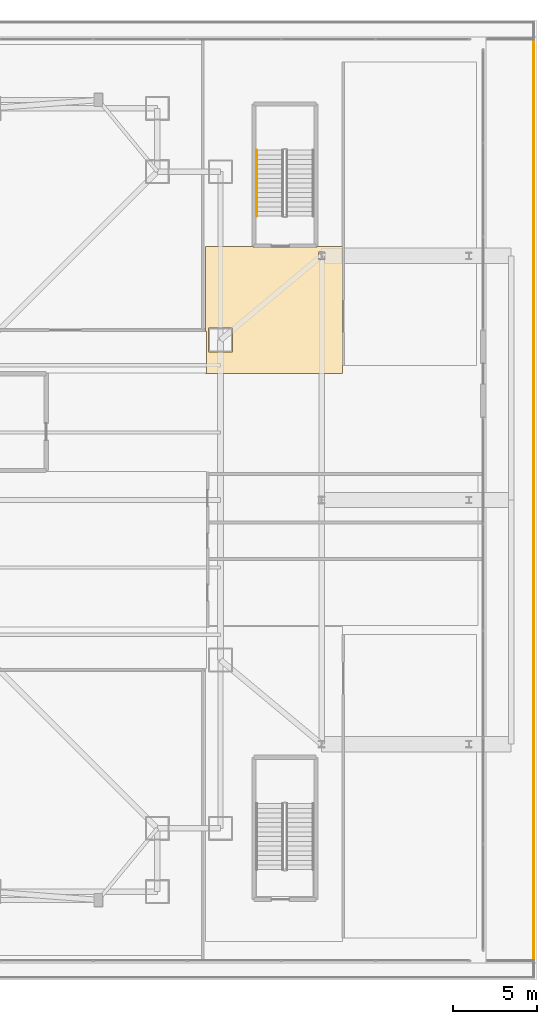
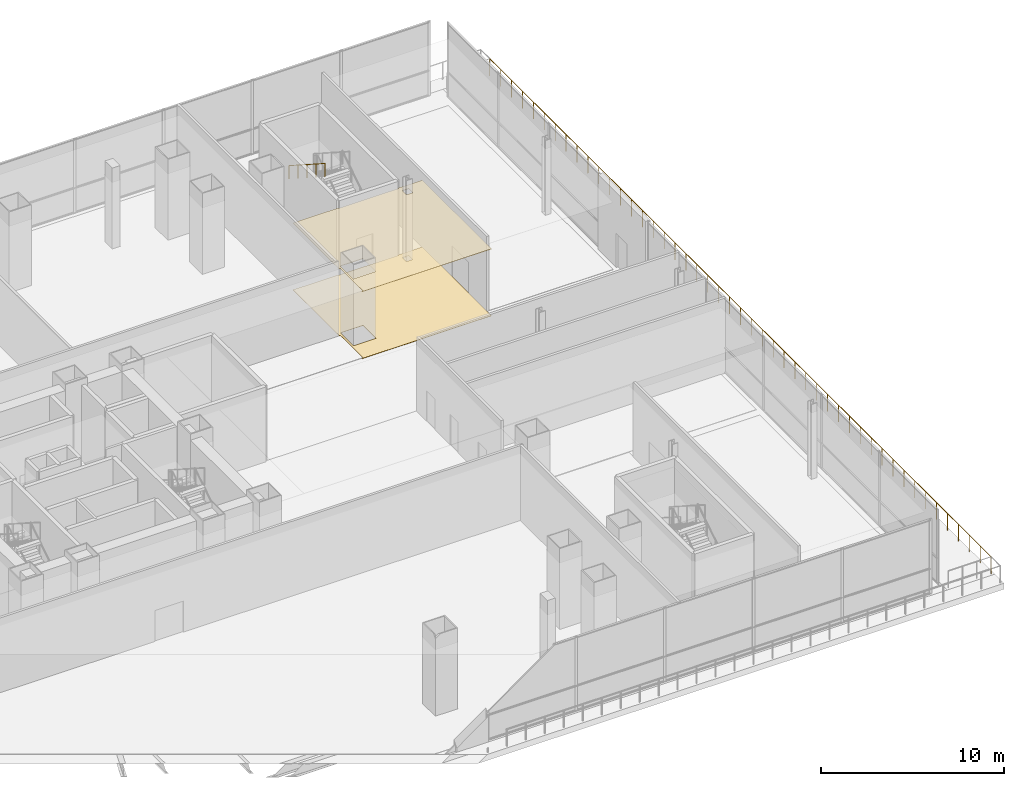
# One storey, part 35 of 36: 2 coverings, 2 railings.
"""IFC4 building model written with IfcOpenShell, lengths in metres."""

from ifc_helpers import new_model, si_unit, direction, frame, origin, origin_2d, place, context, subcontext, project, spatial, polyline, circle, outline, extrude, material, layer, layer_set, type_object, element, save


model = new_model("IFC4")

# Units and contexts
model_context = context("Model", 3, precision=1e-05, world=origin(), true_north=direction((0.0, 1.0)))
body_context = subcontext(model_context, "Body", "Model", "MODEL_VIEW")
ifc_project = project(units=[si_unit("LENGTHUNIT", "METRE"), si_unit("AREAUNIT", "SQUARE_METRE"), si_unit("VOLUMEUNIT", "CUBIC_METRE"), si_unit("PLANEANGLEUNIT", "RADIAN"), si_unit("MASSUNIT", "GRAM", prefix="KILO")], contexts=[model_context])

# Site, building, storey
site_placement = place(None, origin())
site = spatial("IfcSite", under=ifc_project, at=site_placement, CompositionType="ELEMENT")
building_placement = place(site_placement, origin())
building = spatial("IfcBuilding", under=site, at=building_placement, Name="Trevonay Congress Spire", CompositionType="ELEMENT")
storey_placement = place(building_placement, frame((0.0, 0.0, 5.39990234375)))
storey = spatial("IfcBuildingStorey", under=building, at=storey_placement, Name="L01", CompositionType="ELEMENT", Elevation=5.39990234375)

# Coverings
ifc_material_1 = material(Name="Acoustic Mineral Fibre Board", Category="gypsum")
ifc_layer_1 = layer(ifc_material_1, 0.02490234375, Name="Acoustic Mineral Fibre Board")
ifc_layer_set_1 = layer_set([ifc_layer_1], Name="Acoustic Mineral Fibre Board")
covering_type_1 = type_object("IfcCoveringType", Name="COV-CEIL-ACOUSTIC", PredefinedType="CEILING", material=ifc_layer_set_1)
covering_1_placement = place(storey_placement, frame((0.0, 0.0, 4.4501953125)))
element("IfcCovering", 1, at=covering_1_placement, inside=storey, type_object=covering_type_1, Name="L01 L01 Stair Lobby NE acoustic suspended ceiling", PredefinedType="CEILING", context=body_context, shape_type="SweptSolid", body=[
    extrude(outline(polyline([(28.97998046875, 15.02001953125), (28.97998046875, 15.050048828125), (30.5, 15.050048828125), (30.5, 7.5), (22.35009765625, 7.5), (22.35009765625, 7.550048828125), (22.419921875, 7.550048828125), (22.419921875, 10.0), (22.35009765625, 10.0), (22.35009765625, 15.050048828125), (25.169921875, 15.050048828125), (25.169921875, 15.02001953125), (28.97998046875, 15.02001953125)]), holes=[polyline([(23.9599609375, 8.7900390625), (23.9599609375, 10.2099609375), (22.5400390625, 10.2099609375), (22.5400390625, 8.7900390625), (23.9599609375, 8.7900390625)]), polyline([(29.444091796875, 14.277587890625), (29.444091796875, 14.722412109375), (29.055908203125, 14.722412109375), (29.055908203125, 14.277587890625), (29.444091796875, 14.277587890625)])]), origin(), (0.0, 0.0, 1.0), 0.02490234375),
])
ifc_material_2 = material(Name="Polished Granite Floor Tile", Category="masonry")
ifc_layer_2 = layer(ifc_material_2, 0.02001953125, Name="Polished Granite Floor Tile")
ifc_layer_set_2 = layer_set([ifc_layer_2], Name="Polished Granite Floor Tile")
covering_type_2 = type_object("IfcCoveringType", Name="COV-FLOOR-STONE", PredefinedType="FLOORING", material=ifc_layer_set_2)
covering_2_placement = place(storey_placement, origin())
element("IfcCovering", 2, at=covering_2_placement, inside=storey, type_object=covering_type_2, Name="L01 L01 Stair Lobby NE floor finish", PredefinedType="FLOORING", context=body_context, shape_type="SweptSolid", body=[
    extrude(outline(polyline([(28.97998046875, 15.02001953125), (28.97998046875, 15.050048828125), (30.5, 15.050048828125), (30.5, 7.5), (22.35009765625, 7.5), (22.35009765625, 7.550048828125), (22.419921875, 7.550048828125), (22.419921875, 10.0), (22.35009765625, 10.0), (22.35009765625, 15.050048828125), (25.169921875, 15.050048828125), (25.169921875, 15.02001953125), (28.97998046875, 15.02001953125)]), holes=[polyline([(23.9599609375, 8.7900390625), (23.9599609375, 10.2099609375), (22.5400390625, 10.2099609375), (22.5400390625, 8.7900390625), (23.9599609375, 8.7900390625)]), polyline([(29.444091796875, 14.277587890625), (29.444091796875, 14.722412109375), (29.055908203125, 14.722412109375), (29.055908203125, 14.277587890625), (29.444091796875, 14.277587890625)])]), origin(), (0.0, 0.0, 1.0), 0.02001953125),
])

# Railings
ifc_material_3 = material(Name="Pale Anodised Aluminium EN AW-6063-T6", Category="aluminium")
railing_type_1 = type_object("IfcRailingType", Name="RAL-EXT-GUARD-115", PredefinedType="GUARDRAIL", material=ifc_material_3)
railing_1_placement = place(storey_placement, frame((41.85009765625, -27.35009765625, 0.0)))
element("IfcRailing", 3, at=railing_1_placement, inside=storey, type_object=railing_type_1, Name="L01 perimeter safety guard GRD-L01-TER-E-2", PredefinedType="GUARDRAIL", context=body_context, shape_type="SweptSolid", body=[
    extrude(circle(Radius=0.02392578125, at=origin_2d()), frame((0.0, 0.0, 1.1259765625), z_axis=(0.0, 1.0, 0.0), x_axis=(-1.0, 0.0, 0.0)), (0.0, 0.0, 1.0), 54.7001953125),
    extrude(circle(Radius=0.02099609375, at=origin_2d()), origin(), (0.0, 0.0, 1.0), 1.101806640625),
    extrude(circle(Radius=0.02099609375, at=origin_2d()), frame((0.0, 1.189208984375, 0.0)), (0.0, 0.0, 1.0), 1.101806640625),
    extrude(circle(Radius=0.02099609375, at=origin_2d()), frame((0.0, 2.378173828125, 0.0)), (0.0, 0.0, 1.0), 1.101806640625),
    extrude(circle(Radius=0.02099609375, at=origin_2d()), frame((0.0, 3.5673828125, 0.0)), (0.0, 0.0, 1.0), 1.101806640625),
    extrude(circle(Radius=0.02099609375, at=origin_2d()), frame((0.0, 4.756591796875, 0.0)), (0.0, 0.0, 1.0), 1.101806640625),
    extrude(circle(Radius=0.02099609375, at=origin_2d()), frame((0.0, 5.945556640625, 0.0)), (0.0, 0.0, 1.0), 1.101806640625),
    extrude(circle(Radius=0.02099609375, at=origin_2d()), frame((0.0, 7.134765625, 0.0)), (0.0, 0.0, 1.0), 1.101806640625),
    extrude(circle(Radius=0.02099609375, at=origin_2d()), frame((0.0, 8.323974609375, 0.0)), (0.0, 0.0, 1.0), 1.101806640625),
    extrude(circle(Radius=0.02099609375, at=origin_2d()), frame((0.0, 9.51318359375, 0.0)), (0.0, 0.0, 1.0), 1.101806640625),
    extrude(circle(Radius=0.02099609375, at=origin_2d()), frame((0.0, 10.7021484375, 0.0)), (0.0, 0.0, 1.0), 1.101806640625),
    extrude(circle(Radius=0.02099609375, at=origin_2d()), frame((0.0, 11.891357421875, 0.0)), (0.0, 0.0, 1.0), 1.101806640625),
    extrude(circle(Radius=0.02099609375, at=origin_2d()), frame((0.0, 13.08056640625, 0.0)), (0.0, 0.0, 1.0), 1.101806640625),
    extrude(circle(Radius=0.02099609375, at=origin_2d()), frame((0.0, 14.26953125, 0.0)), (0.0, 0.0, 1.0), 1.101806640625),
    extrude(circle(Radius=0.02099609375, at=origin_2d()), frame((0.0, 15.458740234375, 0.0)), (0.0, 0.0, 1.0), 1.101806640625),
    extrude(circle(Radius=0.02099609375, at=origin_2d()), frame((0.0, 16.64794921875, 0.0)), (0.0, 0.0, 1.0), 1.101806640625),
    extrude(circle(Radius=0.02099609375, at=origin_2d()), frame((0.0, 17.8369140625, 0.0)), (0.0, 0.0, 1.0), 1.101806640625),
    extrude(circle(Radius=0.02099609375, at=origin_2d()), frame((0.0, 19.026123046875, 0.0)), (0.0, 0.0, 1.0), 1.101806640625),
    extrude(circle(Radius=0.02099609375, at=origin_2d()), frame((0.0, 20.21533203125, 0.0)), (0.0, 0.0, 1.0), 1.101806640625),
    extrude(circle(Radius=0.02099609375, at=origin_2d()), frame((0.0, 21.404541015625, 0.0)), (0.0, 0.0, 1.0), 1.101806640625),
    extrude(circle(Radius=0.02099609375, at=origin_2d()), frame((0.0, 22.593505859375, 0.0)), (0.0, 0.0, 1.0), 1.101806640625),
    extrude(circle(Radius=0.02099609375, at=origin_2d()), frame((0.0, 23.78271484375, 0.0)), (0.0, 0.0, 1.0), 1.101806640625),
    extrude(circle(Radius=0.02099609375, at=origin_2d()), frame((0.0, 24.971923828125, 0.0)), (0.0, 0.0, 1.0), 1.101806640625),
    extrude(circle(Radius=0.02099609375, at=origin_2d()), frame((0.0, 26.160888671875, 0.0)), (0.0, 0.0, 1.0), 1.101806640625),
    extrude(circle(Radius=0.02099609375, at=origin_2d()), frame((0.0, 27.35009765625, 0.0)), (0.0, 0.0, 1.0), 1.101806640625),
    extrude(circle(Radius=0.02099609375, at=origin_2d()), frame((0.0, 28.539306640625, 0.0)), (0.0, 0.0, 1.0), 1.101806640625),
    extrude(circle(Radius=0.02099609375, at=origin_2d()), frame((0.0, 29.728271484375, 0.0)), (0.0, 0.0, 1.0), 1.101806640625),
    extrude(circle(Radius=0.02099609375, at=origin_2d()), frame((0.0, 30.91748046875, 0.0)), (0.0, 0.0, 1.0), 1.101806640625),
    extrude(circle(Radius=0.02099609375, at=origin_2d()), frame((0.0, 32.106689453125, 0.0)), (0.0, 0.0, 1.0), 1.101806640625),
    extrude(circle(Radius=0.02099609375, at=origin_2d()), frame((0.0, 33.295654296875, 0.0)), (0.0, 0.0, 1.0), 1.101806640625),
    extrude(circle(Radius=0.02099609375, at=origin_2d()), frame((0.0, 34.48486328125, 0.0)), (0.0, 0.0, 1.0), 1.101806640625),
    extrude(circle(Radius=0.02099609375, at=origin_2d()), frame((0.0, 35.674072265625, 0.0)), (0.0, 0.0, 1.0), 1.101806640625),
    extrude(circle(Radius=0.02099609375, at=origin_2d()), frame((0.0, 36.86328125, 0.0)), (0.0, 0.0, 1.0), 1.101806640625),
    extrude(circle(Radius=0.02099609375, at=origin_2d()), frame((0.0, 38.05224609375, 0.0)), (0.0, 0.0, 1.0), 1.101806640625),
    extrude(circle(Radius=0.02099609375, at=origin_2d()), frame((0.0, 39.241455078125, 0.0)), (0.0, 0.0, 1.0), 1.101806640625),
    extrude(circle(Radius=0.02099609375, at=origin_2d()), frame((0.0, 40.4306640625, 0.0)), (0.0, 0.0, 1.0), 1.101806640625),
    extrude(circle(Radius=0.02099609375, at=origin_2d()), frame((0.0, 41.61962890625, 0.0)), (0.0, 0.0, 1.0), 1.101806640625),
    extrude(circle(Radius=0.02099609375, at=origin_2d()), frame((0.0, 42.808837890625, 0.0)), (0.0, 0.0, 1.0), 1.101806640625),
    extrude(circle(Radius=0.02099609375, at=origin_2d()), frame((0.0, 43.998046875, 0.0)), (0.0, 0.0, 1.0), 1.101806640625),
    extrude(circle(Radius=0.02099609375, at=origin_2d()), frame((0.0, 45.18701171875, 0.0)), (0.0, 0.0, 1.0), 1.101806640625),
    extrude(circle(Radius=0.02099609375, at=origin_2d()), frame((0.0, 46.376220703125, 0.0)), (0.0, 0.0, 1.0), 1.101806640625),
    extrude(circle(Radius=0.02099609375, at=origin_2d()), frame((0.0, 47.5654296875, 0.0)), (0.0, 0.0, 1.0), 1.101806640625),
    extrude(circle(Radius=0.02099609375, at=origin_2d()), frame((0.0, 48.754638671875, 0.0)), (0.0, 0.0, 1.0), 1.101806640625),
    extrude(circle(Radius=0.02099609375, at=origin_2d()), frame((0.0, 49.943603515625, 0.0)), (0.0, 0.0, 1.0), 1.101806640625),
    extrude(circle(Radius=0.02099609375, at=origin_2d()), frame((0.0, 51.1328125, 0.0)), (0.0, 0.0, 1.0), 1.101806640625),
    extrude(circle(Radius=0.02099609375, at=origin_2d()), frame((0.0, 52.322021484375, 0.0)), (0.0, 0.0, 1.0), 1.101806640625),
    extrude(circle(Radius=0.02099609375, at=origin_2d()), frame((0.0, 53.510986328125, 0.0)), (0.0, 0.0, 1.0), 1.101806640625),
    extrude(circle(Radius=0.02099609375, at=origin_2d()), frame((0.0, 54.7001953125, 0.0)), (0.0, 0.0, 1.0), 1.101806640625),
])
railing_type_2 = type_object("IfcRailingType", Name="RAL-STAIR-HANDRAIL", PredefinedType="HANDRAIL", material=ifc_material_3)
railing_2_placement = place(storey_placement, frame((25.39990234375, 20.77001953125, 2.880126953125)))
element("IfcRailing", 4, at=railing_2_placement, inside=storey, type_object=railing_type_2, Name="L01 ST-6 stair handrail 2", PredefinedType="HANDRAIL", context=body_context, shape_type="SweptSolid", body=[
    extrude(circle(Radius=0.02392578125, at=origin_2d()), frame((0.0, 0.0, 0.8759765625), z_axis=(0.0, -0.841171666519, 0.540768182723), x_axis=(1.0, 0.0, 0.0)), (0.0, 0.0, 1.0), 4.66015625),
    extrude(circle(Radius=0.02099609375, at=origin_2d()), origin(), (0.0, 0.0, 1.0), 0.851806640625),
    extrude(circle(Radius=0.02099609375, at=origin_2d()), frame((0.0, -0.97998046875, 0.6298828125)), (0.0, 0.0, 1.0), 0.851806640625),
    extrude(circle(Radius=0.02099609375, at=origin_2d()), frame((0.0, -1.9599609375, 1.260009765625)), (0.0, 0.0, 1.0), 0.851806640625),
    extrude(circle(Radius=0.02099609375, at=origin_2d()), frame((0.0, -2.93994140625, 1.89013671875)), (0.0, 0.0, 1.0), 0.851806640625),
    extrude(circle(Radius=0.02099609375, at=origin_2d()), frame((0.0, -3.919921875, 2.52001953125)), (0.0, 0.0, 1.0), 0.851806640625),
])

save(model, "model.ifc")
